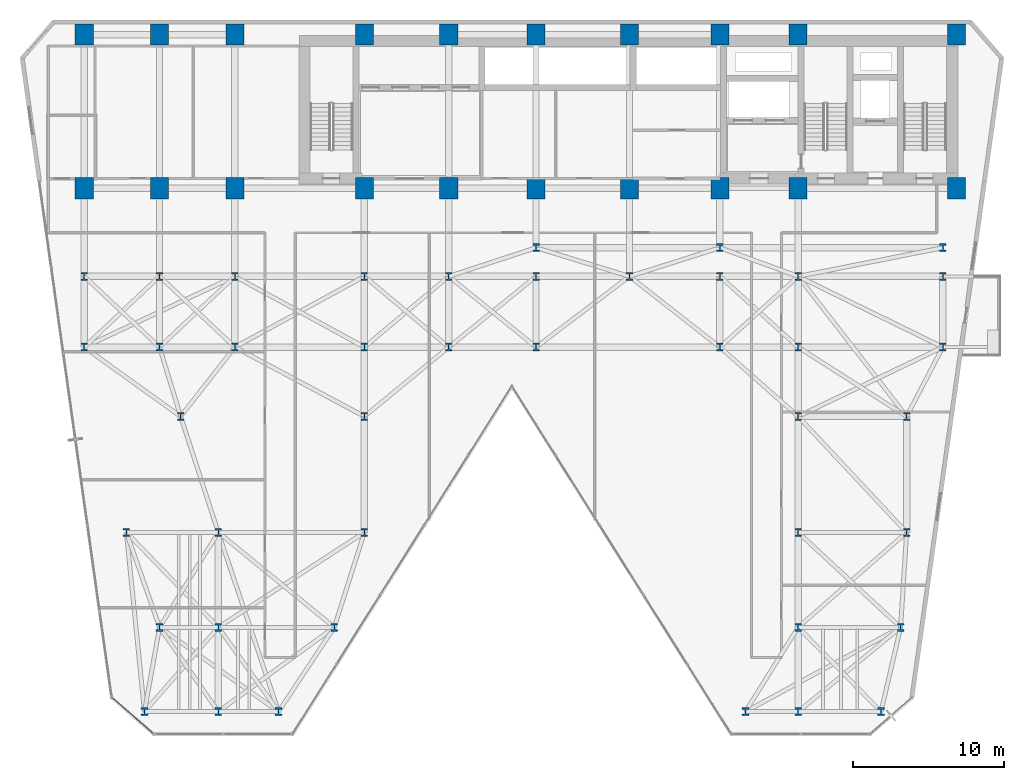
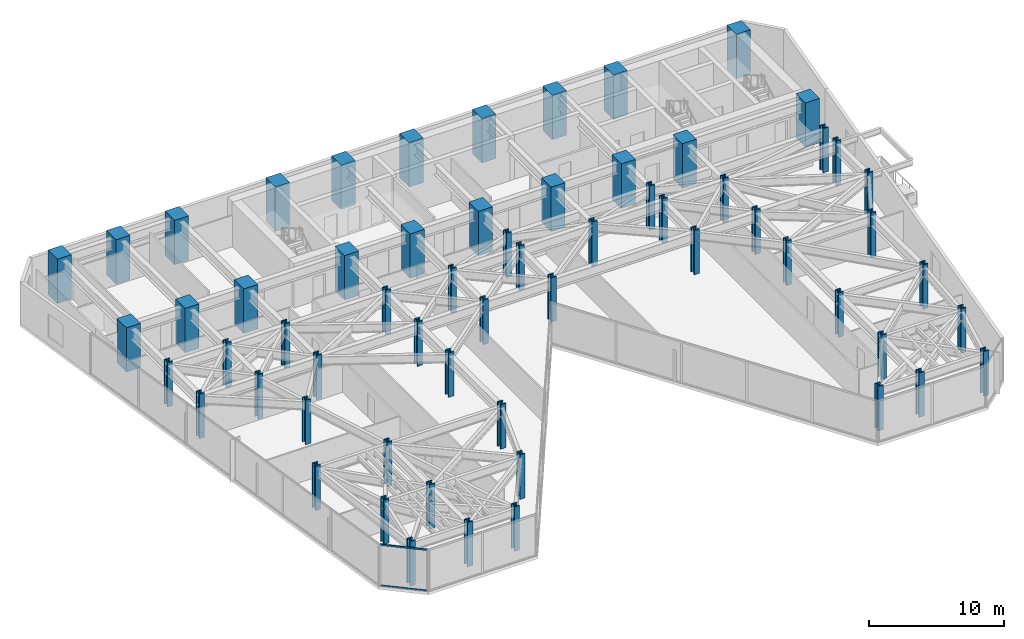
# One storey, part 1 of 25: 62 columns, 2 members, 1 element without a shape of its own.
"""IFC4 building model written with IfcOpenShell, lengths in metres."""

from ifc_helpers import new_model, si_unit, direction, frame, origin, origin_2d, place, context, subcontext, project, spatial, rectangle, hollow_rectangle, i_section, extrude, material, layer, layer_set, material_profile, profile_set, type_object, element, aggregate, save


model = new_model("IFC4")

# Units and contexts
model_context = context("Model", 3, precision=1e-05, world=origin(), true_north=direction((0.0, 1.0)))
body_context = subcontext(model_context, "Body", "Model", "MODEL_VIEW")
ifc_project = project(units=[si_unit("LENGTHUNIT", "METRE"), si_unit("AREAUNIT", "SQUARE_METRE"), si_unit("VOLUMEUNIT", "CUBIC_METRE"), si_unit("PLANEANGLEUNIT", "RADIAN"), si_unit("MASSUNIT", "GRAM", prefix="KILO")], contexts=[model_context])

# Site, building, storey
site_placement = place(None, origin())
site = spatial("IfcSite", under=ifc_project, at=site_placement, CompositionType="ELEMENT")
building_placement = place(site_placement, origin())
building = spatial("IfcBuilding", under=site, at=building_placement, Name="Kravanh Interchange Tower", CompositionType="ELEMENT")
storey_placement = place(building_placement, frame((0.0, 0.0, 33.5)))
storey = spatial("IfcBuildingStorey", under=building, at=storey_placement, Name="L07", CompositionType="ELEMENT", Elevation=33.5)

# Columns
ifc_material_1 = material(Name="Concrete C80/95", Category="concrete")
ifc_material_profile_1 = material_profile(ifc_material_1, rectangle(XDim=1.199951171875, YDim=1.39990234375, at=origin_2d()), Name="RC1200X1400")
ifc_profile_set_1 = profile_set([ifc_material_profile_1], Name="Concrete C80/95")
column_type_1 = type_object("IfcColumnType", Name="Column RC1200X1400 Concrete C80/95", PredefinedType="COLUMN", material=ifc_profile_set_1)
for number, where, z_axis, x_axis, name in (
    (1, (66.5, 47.550048828125, 0.0), (0.0, 0.0, 1.0), (1.0, 0.0, 0.0), "L07 Column CS01"),
    (2, (56.0, 47.550048828125, 0.0), (0.0, 0.0, 1.0), (1.0, 0.0, 0.0), "L07 Column CS02"),
    (3, (66.5, 37.35009765625, 0.0), (0.0, 0.0, 1.0), (1.0, 0.0, 0.0), "L07 Column CS03"),
    (4, (56.0, 37.35009765625, 0.0), (0.0, 0.0, 1.0), (1.0, 0.0, 0.0), "L07 Column CS04"),
    (5, (50.800048828125, 47.550048828125, 0.0), (0.0, 0.0, 1.0), (1.0, 0.0, 0.0), "L07 Column CS05"),
    (6, (50.800048828125, 37.35009765625, 0.0), (0.0, 0.0, 1.0), (1.0, 0.0, 0.0), "L07 Column CS06"),
    (7, (44.800048828125, 37.35009765625, 0.0), (0.0, 0.0, 1.0), (1.0, 0.0, 0.0), "L07 Column CS07"),
    (8, (44.800048828125, 47.550048828125, 0.0), (0.0, 0.0, 1.0), (1.0, 0.0, 0.0), "L07 Column CS08"),
    (9, (38.60009765625, 37.35009765625, 0.0), (0.0, 0.0, 1.0), (1.0, 0.0, 0.0), "L07 Column CS09"),
    (10, (38.60009765625, 47.550048828125, 0.0), (0.0, 0.0, 1.0), (1.0, 0.0, 0.0), "L07 Column CS10"),
    (11, (32.800048828125, 37.35009765625, 0.0), (0.0, 0.0, 1.0), (1.0, 0.0, 0.0), "L07 Column CS11"),
    (12, (32.800048828125, 47.550048828125, 0.0), (0.0, 0.0, 1.0), (1.0, 0.0, 0.0), "L07 Column CS12"),
    (13, (27.199951171875, 37.35009765625, 0.0), (0.0, 0.0, 1.0), (1.0, 0.0, 0.0), "L07 Column CS13"),
    (14, (27.199951171875, 47.550048828125, 0.0), (0.0, 0.0, 1.0), (1.0, 0.0, 0.0), "L07 Column CS14"),
    (15, (18.60009765625, 37.35009765625, 0.0), (0.0, 0.0, 1.0), (1.0, 0.0, 0.0), "L07 Column CS17"),
    (16, (18.60009765625, 47.550048828125, 0.0), (0.0, 0.0, 1.0), (1.0, 0.0, 0.0), "L07 Column CS18"),
    (17, (13.60009765625, 37.35009765625, 0.0), (0.0, 0.0, 1.0), (1.0, 0.0, 0.0), "L07 Column CS19"),
    (18, (13.60009765625, 47.550048828125, 0.0), (0.0, 0.0, 1.0), (1.0, 0.0, 0.0), "L07 Column CS20"),
    (19, (8.60009765625, 37.35009765625, 0.0), (0.0, 0.0, 1.0), (1.0, 0.0, 0.0), "L07 Column CS21"),
    (20, (8.60009765625, 47.550048828125, 0.0), (0.0, 0.0, 1.0), (1.0, 0.0, 0.0), "L07 Column CS22"),
):
    element("IfcColumn", number, at=place(storey_placement, frame(where, z_axis=z_axis, x_axis=x_axis)), inside=storey, type_object=column_type_1, Name=name, PredefinedType="COLUMN", context=body_context, shape_type="SweptSolid", body=[
        extrude(rectangle(XDim=1.199951171875, YDim=1.39990234375, at=origin_2d()), origin(), (0.0, 0.0, 1.0), 4.0),
    ])
ifc_material_2 = material(Name="Structural Steel S450", Category="steel")
ifc_material_profile_2 = material_profile(ifc_material_2, i_section(OverallWidth=0.44189453125, OverallDepth=0.531005859375, WebThickness=0.06591796875, FlangeThickness=0.105712890625, FilletRadius=0.030029296875, at=origin_2d()), Name="W14X605")
ifc_profile_set_2 = profile_set([ifc_material_profile_2], Name="Structural Steel S450")
column_type_2 = type_object("IfcColumnType", Name="Column W14X605 Structural Steel S450", PredefinedType="COLUMN", material=ifc_profile_set_2)
for number, where, z_axis, x_axis, name in (
    (21, (12.60009765625, 2.60009765625, 0.0), (0.0, 0.0, 1.0), (1.0, 0.0, 0.0), "L07 Column CZ1_1"),
    (22, (56.0, 14.5, 0.0), (0.0, 0.0, 1.0), (1.0, 0.0, 0.0), "L07 Column CZ1_10"),
    (23, (63.199951171875, 14.5, 0.0), (0.0, 0.0, 1.0), (1.0, 0.0, 0.0), "L07 Column CZ1_11"),
    (24, (15.0, 22.199951171875, 0.0), (0.0, 0.0, 1.0), (1.0, 0.0, 0.0), "L07 Column CZ1_11B"),
    (25, (27.199951171875, 22.199951171875, 0.0), (0.0, 0.0, 1.0), (1.0, 0.0, 0.0), "L07 Column CZ1_11C"),
    (26, (56.0, 22.199951171875, 0.0), (0.0, 0.0, 1.0), (1.0, 0.0, 0.0), "L07 Column CZ1_11D"),
    (27, (63.199951171875, 22.199951171875, 0.0), (0.0, 0.0, 1.0), (1.0, 0.0, 0.0), "L07 Column CZ1_11E"),
    (28, (8.60009765625, 26.800048828125, 0.0), (0.0, 0.0, 1.0), (1.0, 0.0, 0.0), "L07 Column CZ1_12"),
    (29, (13.60009765625, 26.800048828125, 0.0), (0.0, 0.0, 1.0), (1.0, 0.0, 0.0), "L07 Column CZ1_13"),
    (30, (18.60009765625, 26.800048828125, 0.0), (0.0, 0.0, 1.0), (1.0, 0.0, 0.0), "L07 Column CZ1_14"),
    (31, (27.199951171875, 26.800048828125, 0.0), (0.0, 0.0, 1.0), (1.0, 0.0, 0.0), "L07 Column CZ1_15"),
    (32, (32.800048828125, 26.800048828125, 0.0), (0.0, 0.0, 1.0), (1.0, 0.0, 0.0), "L07 Column CZ1_16"),
    (33, (38.60009765625, 26.800048828125, 0.0), (0.0, 0.0, 1.0), (1.0, 0.0, 0.0), "L07 Column CZ1_16B"),
    (34, (50.800048828125, 26.800048828125, 0.0), (0.0, 0.0, 1.0), (1.0, 0.0, 0.0), "L07 Column CZ1_17"),
    (35, (56.0, 26.800048828125, 0.0), (0.0, 0.0, 1.0), (1.0, 0.0, 0.0), "L07 Column CZ1_18"),
    (36, (65.60009765625, 26.800048828125, 0.0), (0.0, 0.0, 1.0), (1.0, 0.0, 0.0), "L07 Column CZ1_19"),
    (37, (8.60009765625, 31.5, 0.0), (0.0, 0.0, 1.0), (1.0, 0.0, 0.0), "L07 Column CZ1_19B"),
    (38, (13.60009765625, 31.5, 0.0), (0.0, 0.0, 1.0), (1.0, 0.0, 0.0), "L07 Column CZ1_19C"),
    (39, (17.5, 2.60009765625, 0.0), (0.0, 0.0, 1.0), (1.0, 0.0, 0.0), "L07 Column CZ1_2"),
    (40, (18.60009765625, 31.5, 0.0), (0.0, 0.0, 1.0), (1.0, 0.0, 0.0), "L07 Column CZ1_20"),
    (41, (27.199951171875, 31.5, 0.0), (0.0, 0.0, 1.0), (1.0, 0.0, 0.0), "L07 Column CZ1_21"),
    (42, (32.800048828125, 31.5, 0.0), (0.0, 0.0, 1.0), (1.0, 0.0, 0.0), "L07 Column CZ1_22"),
    (43, (38.60009765625, 31.5, 0.0), (0.0, 0.0, 1.0), (1.0, 0.0, 0.0), "L07 Column CZ1_23"),
    (44, (44.800048828125, 31.5, 0.0), (0.0, 0.0, 1.0), (1.0, 0.0, 0.0), "L07 Column CZ1_24"),
    (45, (50.800048828125, 31.5, 0.0), (0.0, 0.0, 1.0), (1.0, 0.0, 0.0), "L07 Column CZ1_25"),
    (46, (56.0, 31.5, 0.0), (0.0, 0.0, 1.0), (1.0, 0.0, 0.0), "L07 Column CZ1_26"),
    (47, (65.60009765625, 31.5, 0.0), (0.0, 0.0, 1.0), (1.0, 0.0, 0.0), "L07 Column CZ1_27"),
    (48, (21.5, 2.60009765625, 0.0), (0.0, 0.0, 1.0), (1.0, 0.0, 0.0), "L07 Column CZ1_3"),
    (49, (52.5, 2.60009765625, 0.0), (0.0, 0.0, 1.0), (1.0, 0.0, 0.0), "L07 Column CZ1_4"),
    (50, (56.0, 2.60009765625, 0.0), (0.0, 0.0, 1.0), (1.0, 0.0, 0.0), "L07 Column CZ1_5"),
    (51, (61.5, 2.60009765625, 0.0), (0.0, 0.0, 1.0), (1.0, 0.0, 0.0), "L07 Column CZ1_5B"),
    (52, (13.60009765625, 8.199951171875, 0.0), (0.0, 0.0, 1.0), (1.0, 0.0, 0.0), "L07 Column CZ1_6"),
    (53, (17.5, 8.199951171875, 0.0), (0.0, 0.0, 1.0), (1.0, 0.0, 0.0), "L07 Column CZ1_6B"),
    (54, (25.199951171875, 8.199951171875, 0.0), (0.0, 0.0, 1.0), (1.0, 0.0, 0.0), "L07 Column CZ1_6C"),
    (55, (56.0, 8.199951171875, 0.0), (0.0, 0.0, 1.0), (1.0, 0.0, 0.0), "L07 Column CZ1_6D"),
    (56, (62.800048828125, 8.199951171875, 0.0), (0.0, 0.0, 1.0), (1.0, 0.0, 0.0), "L07 Column CZ1_6E"),
    (57, (11.39990234375, 14.5, 0.0), (0.0, 0.0, 1.0), (1.0, 0.0, 0.0), "L07 Column CZ1_7"),
    (58, (17.5, 14.5, 0.0), (0.0, 0.0, 1.0), (1.0, 0.0, 0.0), "L07 Column CZ1_7B"),
    (59, (27.199951171875, 14.5, 0.0), (0.0, 0.0, 1.0), (1.0, 0.0, 0.0), "L07 Column CZ1_8"),
    (60, (38.60009765625, 33.39990234375, 0.0), (0.0, 0.0, 1.0), (1.0, 0.0, 0.0), "L07 Column CZ1_M1"),
    (61, (50.800048828125, 33.39990234375, 0.0), (0.0, 0.0, 1.0), (1.0, 0.0, 0.0), "L07 Column CZ1_M2"),
    (62, (65.60009765625, 33.39990234375, 0.0), (0.0, 0.0, 1.0), (1.0, 0.0, 0.0), "L07 Column CZ1_M3"),
):
    element("IfcColumn", number, at=place(storey_placement, frame(where, z_axis=z_axis, x_axis=x_axis)), inside=storey, type_object=column_type_2, Name=name, PredefinedType="COLUMN", context=body_context, shape_type="SweptSolid", body=[
        extrude(i_section(OverallWidth=0.44189453125, OverallDepth=0.531005859375, WebThickness=0.06591796875, FlangeThickness=0.105712890625, FilletRadius=0.030029296875, at=origin_2d()), origin(), (0.0, 0.0, 1.0), 4.0),
    ])

# Curtain wall, members
ifc_material_3 = material(Name="Anodised Bronze Aluminium", Category="aluminium")
ifc_layer = layer(ifc_material_3, 0.179931640625)
ifc_layer_set = layer_set([ifc_layer], Name="Unitised Curtain Wall System CW-Z1 Lower Office")
curtain_wall_type = type_object("IfcCurtainWallType", Name="Unitised Curtain Wall System CW-Z1 Lower Office", PredefinedType="NOTDEFINED", material=ifc_layer_set)
curtain_wall_placement = place(storey_placement, origin())
curtain_wall = element("IfcCurtainWall", 63, at=curtain_wall_placement, inside=storey, type_object=curtain_wall_type, Name="L07 Unitised Curtain Wall CW-L07-07", PredefinedType="NOTDEFINED")
ifc_material_4 = material(Name="Anodised Bronze Aluminium", Category="aluminium")
ifc_material_profile_3 = material_profile(ifc_material_4, hollow_rectangle(XDim=0.06005859375, YDim=0.139892578125, WallThickness=0.00390625, at=origin_2d()), Name="ALU60X140X4")
ifc_profile_set_3 = profile_set([ifc_material_profile_3], Name="Anodised Bronze Aluminium")
member_type = type_object("IfcMemberType", Name="Curtain Wall Transom ALU60X140X4 Bronze", PredefinedType="USERDEFINED", material=ifc_profile_set_3)
member_1_placement = place(storey_placement, frame((13.167724609375, 1.166015625, 0.030029296875), z_axis=(-0.754710815466, 0.656057608004, 0.0), x_axis=(-0.656057608004, -0.754710815466, 0.0)))
member_1 = element("IfcMember", 64, at=member_1_placement, type_object=member_type, Name="CW-Z1 transom 1.1", ObjectType="TRANSOM", PredefinedType="USERDEFINED", context=body_context, shape_type="SweptSolid", body=[
    extrude(hollow_rectangle(XDim=0.06005859375, YDim=0.139892578125, WallThickness=0.00390625, at=origin_2d()), origin(), (0.0, 0.0, 1.0), 3.543701171875),
])
member_2_placement = place(storey_placement, frame((13.167724609375, 1.166015625, 3.7099609375), z_axis=(-0.754710815466, 0.656057608004, 0.0), x_axis=(-0.656057608004, -0.754710815466, 0.0)))
member_2 = element("IfcMember", 65, at=member_2_placement, type_object=member_type, Name="CW-Z1 transom 1.2", ObjectType="TRANSOM", PredefinedType="USERDEFINED", context=body_context, shape_type="SweptSolid", body=[
    extrude(hollow_rectangle(XDim=0.06005859375, YDim=0.139892578125, WallThickness=0.00390625, at=origin_2d()), origin(), (0.0, 0.0, 1.0), 3.543701171875),
])
aggregate(curtain_wall, [member_1, member_2])

save(model, "model.ifc")
